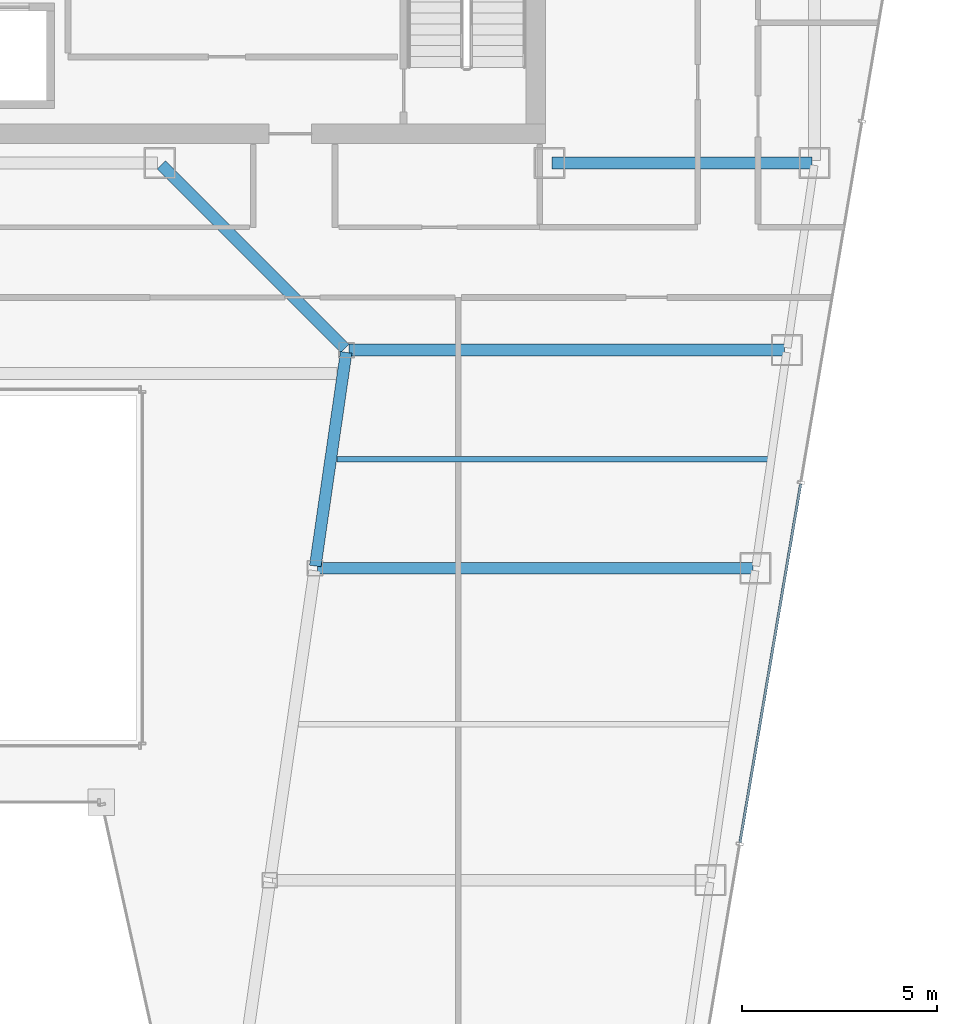
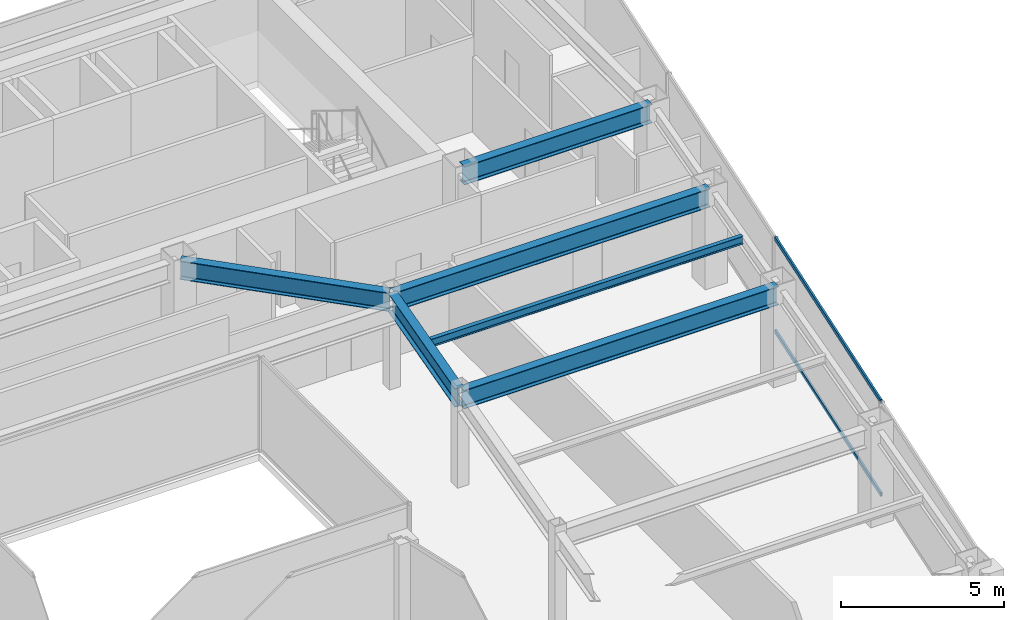
# One storey, part 21 of 35: 6 beams, 2 members, 1 element without a shape of its own.
"""IFC4 building model written with IfcOpenShell, lengths in metres."""

from ifc_helpers import new_model, si_unit, direction, frame, origin, origin_2d, place, context, subcontext, project, spatial, hollow_rectangle, i_section, extrude, material, material_profile, profile_set, type_object, element, aggregate, save


model = new_model("IFC4")

# Units and contexts
model_context = context("Model", 3, precision=1e-05, world=origin(), true_north=direction((0.0, 1.0)))
body_context = subcontext(model_context, "Body", "Model", "MODEL_VIEW")
ifc_project = project(units=[si_unit("LENGTHUNIT", "METRE"), si_unit("AREAUNIT", "SQUARE_METRE"), si_unit("VOLUMEUNIT", "CUBIC_METRE"), si_unit("PLANEANGLEUNIT", "RADIAN"), si_unit("MASSUNIT", "GRAM", prefix="KILO")], contexts=[model_context])

# Site, building, storey
site_placement = place(None, origin())
site = spatial("IfcSite", under=ifc_project, at=site_placement, CompositionType="ELEMENT")
building_placement = place(site_placement, origin())
building = spatial("IfcBuilding", under=site, at=building_placement, Name="Saevonmaru Cultural Tower", CompositionType="ELEMENT")
storey_placement = place(building_placement, frame((0.0, 0.0, 213.199951171875)))
storey = spatial("IfcBuildingStorey", under=building, at=storey_placement, Name="L49", CompositionType="ELEMENT", Elevation=213.199951171875)

# Beams
ifc_material_1 = material(Name="Steel SM355", Category="steel")
ifc_material_profile_1 = material_profile(ifc_material_1, i_section(OverallWidth=0.300048828125, OverallDepth=0.699951171875, WebThickness=0.012939453125, FlangeThickness=0.02392578125, FilletRadius=0.02587890625, at=origin_2d()), Name="H-700x300x13x24")
ifc_profile_set_1 = profile_set([ifc_material_profile_1], Name="Steel SM355")
beam_type_1 = type_object("IfcBeamType", Name="BM-G-H700", PredefinedType="BEAM", material=ifc_profile_set_1)
beam_1_placement = place(storey_placement, frame((46.4599609375, 42.39990234375, 3.199951171875), z_axis=(1.0, 0.0, 0.0), x_axis=(0.0, 1.0, 0.0)))
element("IfcBeam", 1, at=beam_1_placement, inside=storey, type_object=beam_type_1, Name="L49 Core South Girder 5", PredefinedType="BEAM", context=body_context, shape_type="SweptSolid", body=[
    extrude(i_section(OverallWidth=0.300048828125, OverallDepth=0.699951171875, WebThickness=0.012939453125, FlangeThickness=0.02392578125, FilletRadius=0.02587890625, at=origin_2d()), origin(), (0.0, 0.0, 1.0), 6.679931640625),
])
beam_2_placement = place(storey_placement, frame((40.3916015625, 32.059326171875, 3.199951171875), z_axis=(0.142964121327, 0.989727871697, 0.0), x_axis=(-0.989727871697, 0.142964121327, 0.0)))
element("IfcBeam", 2, at=beam_2_placement, inside=storey, type_object=beam_type_1, Name="L49 East Atrium Girder 3", PredefinedType="BEAM", context=body_context, shape_type="SweptSolid", body=[
    extrude(i_section(OverallWidth=0.300048828125, OverallDepth=0.699951171875, WebThickness=0.012939453125, FlangeThickness=0.02392578125, FilletRadius=0.02587890625, at=origin_2d()), origin(), (0.0, 0.0, 1.0), 5.5380859375),
])
beam_3_placement = place(storey_placement, frame((41.149658203125, 37.642578125, 3.199951171875), z_axis=(-0.706538566564, 0.707674539572, 0.0), x_axis=(-0.707674539572, -0.706538566564, 0.0)))
element("IfcBeam", 3, at=beam_3_placement, inside=storey, type_object=beam_type_1, Name="L49 East Atrium Girder 4", PredefinedType="BEAM", context=body_context, shape_type="SweptSolid", body=[
    extrude(i_section(OverallWidth=0.300048828125, OverallDepth=0.699951171875, WebThickness=0.012939453125, FlangeThickness=0.02392578125, FilletRadius=0.02587890625, at=origin_2d()), origin(), (0.0, 0.0, 1.0), 6.662353515625),
])
for number, where, z_axis, x_axis, name in (
    (4, (40.443115234375, 32.0, 3.199951171875), (1.0, 0.0, 0.0), (0.0, 1.0, 0.0), "L49 East Wing Transverse Girder 3"),
    (5, (41.251953125, 37.60009765625, 3.199951171875), (1.0, 0.0, 0.0), (0.0, 1.0, 0.0), "L49 East Wing Transverse Girder 4"),
):
    element("IfcBeam", number, at=place(storey_placement, frame(where, z_axis=z_axis, x_axis=x_axis)), inside=storey, type_object=beam_type_1, Name=name, PredefinedType="BEAM", context=body_context, shape_type="SweptSolid", body=[
        extrude(i_section(OverallWidth=0.300048828125, OverallDepth=0.699951171875, WebThickness=0.012939453125, FlangeThickness=0.02392578125, FilletRadius=0.02587890625, at=origin_2d()), origin(), (0.0, 0.0, 1.0), 11.179931640625),
    ])
ifc_material_profile_2 = material_profile(ifc_material_1, i_section(OverallWidth=0.14990234375, OverallDepth=0.300048828125, WebThickness=0.006591796875, FlangeThickness=0.009033203125, FilletRadius=0.012939453125, at=origin_2d()), Name="H-300x150x6.5x9")
ifc_profile_set_2 = profile_set([ifc_material_profile_2], Name="Steel SM355")
beam_type_2 = type_object("IfcBeamType", Name="BM-J-H300", PredefinedType="JOIST", material=ifc_profile_set_2)
beam_4_placement = place(storey_placement, frame((40.945556640625, 34.800048828125, 3.400146484375), z_axis=(1.0, 0.0, 0.0), x_axis=(0.0, 1.0, 0.0)))
element("IfcBeam", 6, at=beam_4_placement, inside=storey, type_object=beam_type_2, Name="L49 East Wing Floor Joist 3", PredefinedType="JOIST", context=body_context, shape_type="SweptSolid", body=[
    extrude(i_section(OverallWidth=0.14990234375, OverallDepth=0.300048828125, WebThickness=0.006591796875, FlangeThickness=0.009033203125, FilletRadius=0.012939453125, at=origin_2d()), origin(), (0.0, 0.0, 1.0), 11.08203125),
])

# Curtain wall, members
ifc_material_2 = material(Name="Satin Bronze Anodised Aluminium", Category="aluminium")
curtain_wall_type = type_object("IfcCurtainWallType", Name="CW-TYP-B", PredefinedType="NOTDEFINED", material=ifc_material_2)
curtain_wall_placement = place(storey_placement, origin())
curtain_wall = element("IfcCurtainWall", 7, at=curtain_wall_placement, inside=storey, type_object=curtain_wall_type, Name="L49 Unitised Curtain Wall E8", PredefinedType="NOTDEFINED")
ifc_material_profile_3 = material_profile(ifc_material_2, hollow_rectangle(XDim=0.06494140625, YDim=0.14990234375, WallThickness=0.00390625, at=origin_2d()), Name="ALU-TRAN-150x65x4")
ifc_profile_set_3 = profile_set([ifc_material_profile_3], Name="Satin Bronze Anodised Aluminium")
member_type = type_object("IfcMemberType", Name="TR-CW-150x65", PredefinedType="USERDEFINED", material=ifc_profile_set_3)
member_1_placement = place(storey_placement, frame((51.287109375, 24.961669921875, 0.032470703125), z_axis=(0.166921263871, 0.985970228591, 0.0), x_axis=(-0.985970228591, 0.166921263871, 0.0)))
member_1 = element("IfcMember", 8, at=member_1_placement, type_object=member_type, Name="CW-TW-L49-E8 transom 2.1", ObjectType="TRANSOM", PredefinedType="USERDEFINED", context=body_context, shape_type="SweptSolid", body=[
    extrude(hollow_rectangle(XDim=0.06494140625, YDim=0.14990234375, WallThickness=0.00390625, at=origin_2d()), origin(), (0.0, 0.0, 1.0), 9.33740234375),
])
member_2_placement = place(storey_placement, frame((51.287109375, 24.961669921875, 3.517578125), z_axis=(0.166921263871, 0.985970228591, 0.0), x_axis=(-0.985970228591, 0.166921263871, 0.0)))
member_2 = element("IfcMember", 9, at=member_2_placement, type_object=member_type, Name="CW-TW-L49-E8 transom 2.2", ObjectType="TRANSOM", PredefinedType="USERDEFINED", context=body_context, shape_type="SweptSolid", body=[
    extrude(hollow_rectangle(XDim=0.06494140625, YDim=0.14990234375, WallThickness=0.00390625, at=origin_2d()), origin(), (0.0, 0.0, 1.0), 9.33740234375),
])
aggregate(curtain_wall, [member_1, member_2])

save(model, "model.ifc")
